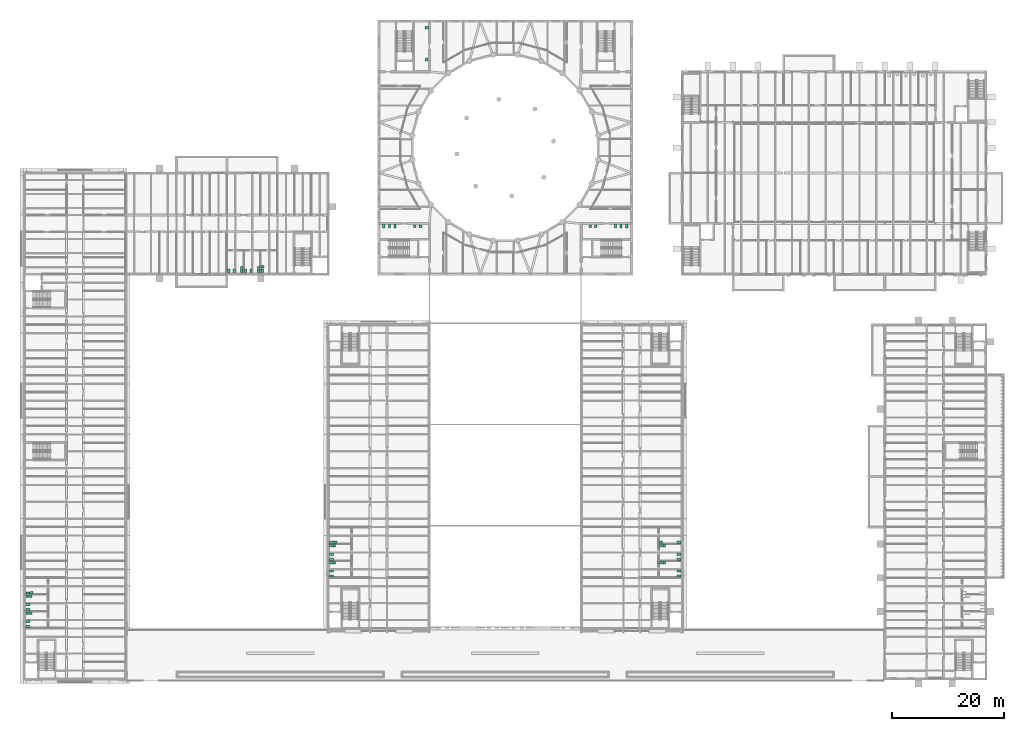
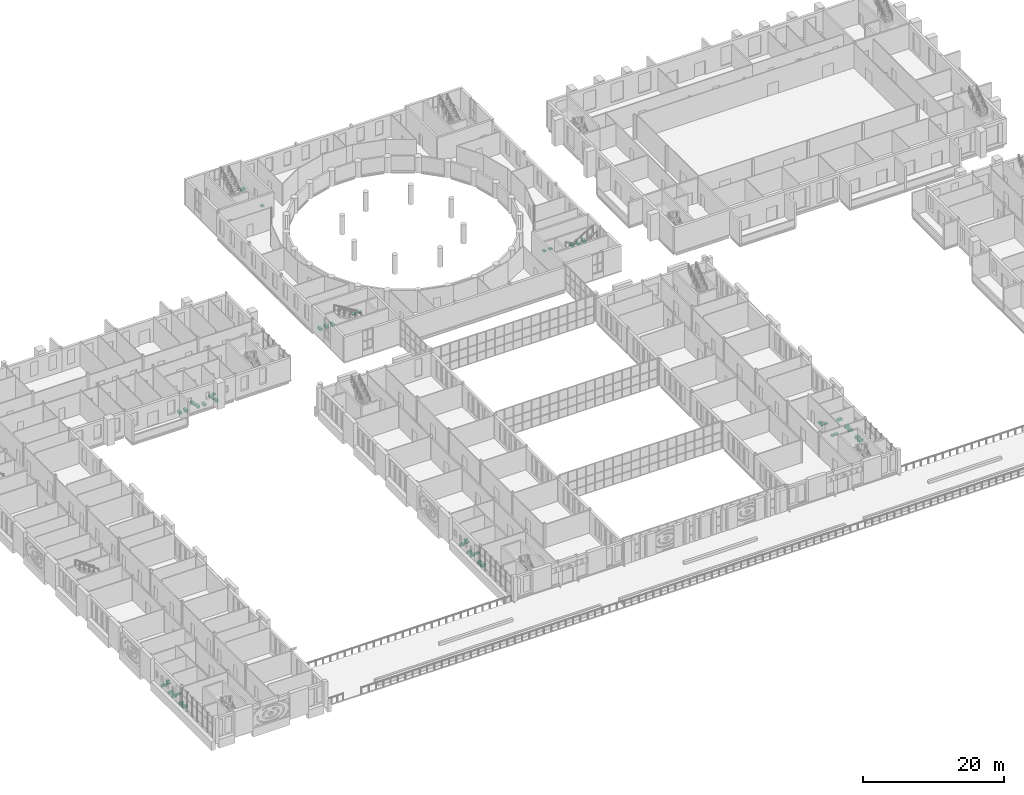
# One storey, part 133 of 134: 52 sanitary terminals.
"""IFC4 building model written with IfcOpenShell, lengths in metres."""

from ifc_helpers import new_model, si_unit, direction, frame, origin, origin_2d, place, context, subcontext, project, spatial, rectangle, extrude, material, type_object, element, save


model = new_model("IFC4")

# Units and contexts
model_context = context("Model", 3, precision=1e-05, world=origin(), true_north=direction((0.0, 1.0)))
body_context = subcontext(model_context, "Body", "Model", "MODEL_VIEW")
ifc_project = project(units=[si_unit("LENGTHUNIT", "METRE"), si_unit("AREAUNIT", "SQUARE_METRE"), si_unit("VOLUMEUNIT", "CUBIC_METRE"), si_unit("PLANEANGLEUNIT", "RADIAN"), si_unit("MASSUNIT", "GRAM", prefix="KILO")], contexts=[model_context])

# Site, building, storey
site_placement = place(None, origin())
site = spatial("IfcSite", under=ifc_project, at=site_placement, CompositionType="ELEMENT")
building_placement = place(site_placement, origin())
building = spatial("IfcBuilding", under=site, at=building_placement, Name="Golden Quay Civic Hall", CompositionType="ELEMENT")
storey_placement = place(building_placement, frame((0.0, 0.0, 5.39990234375)))
storey = spatial("IfcBuildingStorey", under=building, at=storey_placement, Name="L01", CompositionType="ELEMENT", Elevation=5.39990234375)

# Sanitary terminals
ifc_material_1 = material(Name="Ceramic")
sanitary_terminal_type_1 = type_object("IfcSanitaryTerminalType", Name="Toilet pan", PredefinedType="TOILETPAN", material=ifc_material_1)
for number, where, z_axis, x_axis, name in (
    (1, (63.89990234375, 71.550048828125, 0.000244140625), (0.0, 0.0, 1.0), (1.0, 0.0, 0.0), "Toilet pan"),
    (2, (64.89990234375, 71.550048828125, 0.000244140625), (0.0, 0.0, 1.0), (1.0, 0.0, 0.0), "Toilet pan"),
    (3, (65.89990234375, 71.550048828125, 0.000244140625), (0.0, 0.0, 1.0), (1.0, 0.0, 0.0), "Toilet pan"),
    (4, (107.10009765625, 71.550048828125, 0.000244140625), (0.0, 0.0, 1.0), (1.0, 0.0, 0.0), "Toilet pan"),
    (5, (106.10009765625, 71.550048828125, 0.000244140625), (0.0, 0.0, 1.0), (1.0, 0.0, 0.0), "Toilet pan"),
    (6, (105.10009765625, 71.550048828125, 0.000244140625), (0.0, 0.0, 1.0), (1.0, 0.0, 0.0), "Toilet pan"),
    (7, (71.550048828125, 106.800048828125, 0.000244140625), (0.0, 0.0, 1.0), (0.0, 1.0, 0.0), "Toilet pan"),
    (8, (116.39990234375, 9.324951171875, 0.000244140625), (0.0, 0.0, 1.0), (0.0, 1.0, 0.0), "Toilet pan"),
    (9, (116.39990234375, 10.22509765625, 0.000244140625), (0.0, 0.0, 1.0), (0.0, 1.0, 0.0), "Toilet pan"),
    (10, (116.39990234375, 12.300048828125, 0.000244140625), (0.0, 0.0, 1.0), (0.0, 1.0, 0.0), "Toilet pan"),
    (11, (116.39990234375, 13.199951171875, 0.000244140625), (0.0, 0.0, 1.0), (0.0, 1.0, 0.0), "Toilet pan"),
    (12, (116.39990234375, 15.300048828125, 0.000244140625), (0.0, 0.0, 1.0), (0.0, 1.0, 0.0), "Toilet pan"),
    (13, (36.324951171875, 63.60009765625, 0.000244140625), (0.0, 0.0, 1.0), (1.0, 0.0, 0.0), "Toilet pan"),
    (14, (37.324951171875, 63.60009765625, 0.000244140625), (0.0, 0.0, 1.0), (1.0, 0.0, 0.0), "Toilet pan"),
    (15, (39.300048828125, 63.60009765625, 0.000244140625), (0.0, 0.0, 1.0), (1.0, 0.0, 0.0), "Toilet pan"),
    (16, (40.300048828125, 63.60009765625, 0.000244140625), (0.0, 0.0, 1.0), (1.0, 0.0, 0.0), "Toilet pan"),
    (17, (42.300048828125, 63.60009765625, 0.000244140625), (0.0, 0.0, 1.0), (1.0, 0.0, 0.0), "Toilet pan"),
    (18, (54.60009765625, 9.324951171875, 0.000244140625), (0.0, 0.0, 1.0), (0.0, 1.0, 0.0), "Toilet pan"),
    (19, (54.60009765625, 10.22509765625, 0.000244140625), (0.0, 0.0, 1.0), (0.0, 1.0, 0.0), "Toilet pan"),
    (20, (54.60009765625, 12.300048828125, 0.000244140625), (0.0, 0.0, 1.0), (0.0, 1.0, 0.0), "Toilet pan"),
    (21, (54.60009765625, 13.199951171875, 0.000244140625), (0.0, 0.0, 1.0), (0.0, 1.0, 0.0), "Toilet pan"),
    (22, (54.60009765625, 15.300048828125, 0.000244140625), (0.0, 0.0, 1.0), (0.0, 1.0, 0.0), "Toilet pan"),
    (23, (0.60009765625, 0.324951171875, 0.000244140625), (0.0, 0.0, 1.0), (0.0, 1.0, 0.0), "Toilet pan"),
    (24, (0.60009765625, 1.22509765625, 0.000244140625), (0.0, 0.0, 1.0), (0.0, 1.0, 0.0), "Toilet pan"),
    (25, (0.60009765625, 3.300048828125, 0.000244140625), (0.0, 0.0, 1.0), (0.0, 1.0, 0.0), "Toilet pan"),
    (26, (0.60009765625, 4.300048828125, 0.000244140625), (0.0, 0.0, 1.0), (0.0, 1.0, 0.0), "Toilet pan"),
    (27, (0.60009765625, 6.300048828125, 0.000244140625), (0.0, 0.0, 1.0), (0.0, 1.0, 0.0), "Toilet pan"),
):
    element("IfcSanitaryTerminal", number, at=place(storey_placement, frame(where, z_axis=z_axis, x_axis=x_axis)), inside=storey, type_object=sanitary_terminal_type_1, Name=name, PredefinedType="TOILETPAN", context=body_context, shape_type="SweptSolid", body=[
        extrude(rectangle(XDim=0.39990234375, YDim=0.699951171875, at=origin_2d()), origin(), (0.0, 0.0, 1.0), 0.39990234375),
    ])
ifc_material_2 = material(Name="Ceramic")
sanitary_terminal_type_2 = type_object("IfcSanitaryTerminalType", Name="Wash basin", PredefinedType="WASHHANDBASIN", material=ifc_material_2)
for number, where, z_axis, x_axis, name in (
    (28, (69.39990234375, 71.550048828125, 0.7001953125), (0.0, 0.0, 1.0), (1.0, 0.0, 0.0), "Wash basin"),
    (29, (70.39990234375, 71.550048828125, 0.7001953125), (0.0, 0.0, 1.0), (1.0, 0.0, 0.0), "Wash basin"),
    (30, (101.60009765625, 71.550048828125, 0.7001953125), (0.0, 0.0, 1.0), (1.0, 0.0, 0.0), "Wash basin"),
    (31, (100.60009765625, 71.550048828125, 0.7001953125), (0.0, 0.0, 1.0), (1.0, 0.0, 0.0), "Wash basin"),
    (32, (71.550048828125, 101.199951171875, 0.7001953125), (0.0, 0.0, 1.0), (0.0, 1.0, 0.0), "Wash basin"),
    (33, (113.175048828125, 11.675048828125, 0.7001953125), (0.0, 0.0, 1.0), (1.0, 0.0, 0.0), "Wash basin"),
    (34, (113.77490234375, 11.675048828125, 0.7001953125), (0.0, 0.0, 1.0), (1.0, 0.0, 0.0), "Wash basin"),
    (35, (113.175048828125, 14.675048828125, 0.7001953125), (0.0, 0.0, 1.0), (1.0, 0.0, 0.0), "Wash basin"),
    (36, (113.77490234375, 14.675048828125, 0.7001953125), (0.0, 0.0, 1.0), (1.0, 0.0, 0.0), "Wash basin"),
    (37, (113.175048828125, 15.324951171875, 0.7001953125), (0.0, 0.0, 1.0), (1.0, 0.0, 0.0), "Wash basin"),
    (38, (38.675048828125, 63.5, 0.7001953125), (0.0, 0.0, 1.0), (0.0, 1.0, 0.0), "Wash basin"),
    (39, (38.675048828125, 64.10009765625, 0.7001953125), (0.0, 0.0, 1.0), (0.0, 1.0, 0.0), "Wash basin"),
    (40, (41.675048828125, 63.5, 0.7001953125), (0.0, 0.0, 1.0), (0.0, 1.0, 0.0), "Wash basin"),
    (41, (41.675048828125, 64.10009765625, 0.7001953125), (0.0, 0.0, 1.0), (0.0, 1.0, 0.0), "Wash basin"),
    (42, (42.324951171875, 64.300048828125, 0.7001953125), (0.0, 0.0, 1.0), (0.0, 1.0, 0.0), "Wash basin"),
    (43, (54.5, 11.675048828125, 0.7001953125), (0.0, 0.0, 1.0), (1.0, 0.0, 0.0), "Wash basin"),
    (44, (55.10009765625, 11.675048828125, 0.7001953125), (0.0, 0.0, 1.0), (1.0, 0.0, 0.0), "Wash basin"),
    (45, (54.5, 14.675048828125, 0.7001953125), (0.0, 0.0, 1.0), (1.0, 0.0, 0.0), "Wash basin"),
    (46, (55.10009765625, 14.675048828125, 0.7001953125), (0.0, 0.0, 1.0), (1.0, 0.0, 0.0), "Wash basin"),
    (47, (55.300048828125, 15.324951171875, 0.7001953125), (0.0, 0.0, 1.0), (1.0, 0.0, 0.0), "Wash basin"),
    (48, (0.5, 2.675048828125, 0.7001953125), (0.0, 0.0, 1.0), (1.0, 0.0, 0.0), "Wash basin"),
    (49, (1.10009765625, 2.675048828125, 0.7001953125), (0.0, 0.0, 1.0), (1.0, 0.0, 0.0), "Wash basin"),
    (50, (0.5, 5.675048828125, 0.7001953125), (0.0, 0.0, 1.0), (1.0, 0.0, 0.0), "Wash basin"),
    (51, (1.10009765625, 5.675048828125, 0.7001953125), (0.0, 0.0, 1.0), (1.0, 0.0, 0.0), "Wash basin"),
    (52, (1.300048828125, 6.324951171875, 0.7001953125), (0.0, 0.0, 1.0), (1.0, 0.0, 0.0), "Wash basin"),
):
    element("IfcSanitaryTerminal", number, at=place(storey_placement, frame(where, z_axis=z_axis, x_axis=x_axis)), inside=storey, type_object=sanitary_terminal_type_2, Name=name, PredefinedType="WASHHANDBASIN", context=body_context, shape_type="SweptSolid", body=[
        extrude(rectangle(XDim=0.5, YDim=0.449951171875, at=origin_2d()), origin(), (0.0, 0.0, 1.0), 0.199951171875),
    ])

save(model, "model.ifc")
